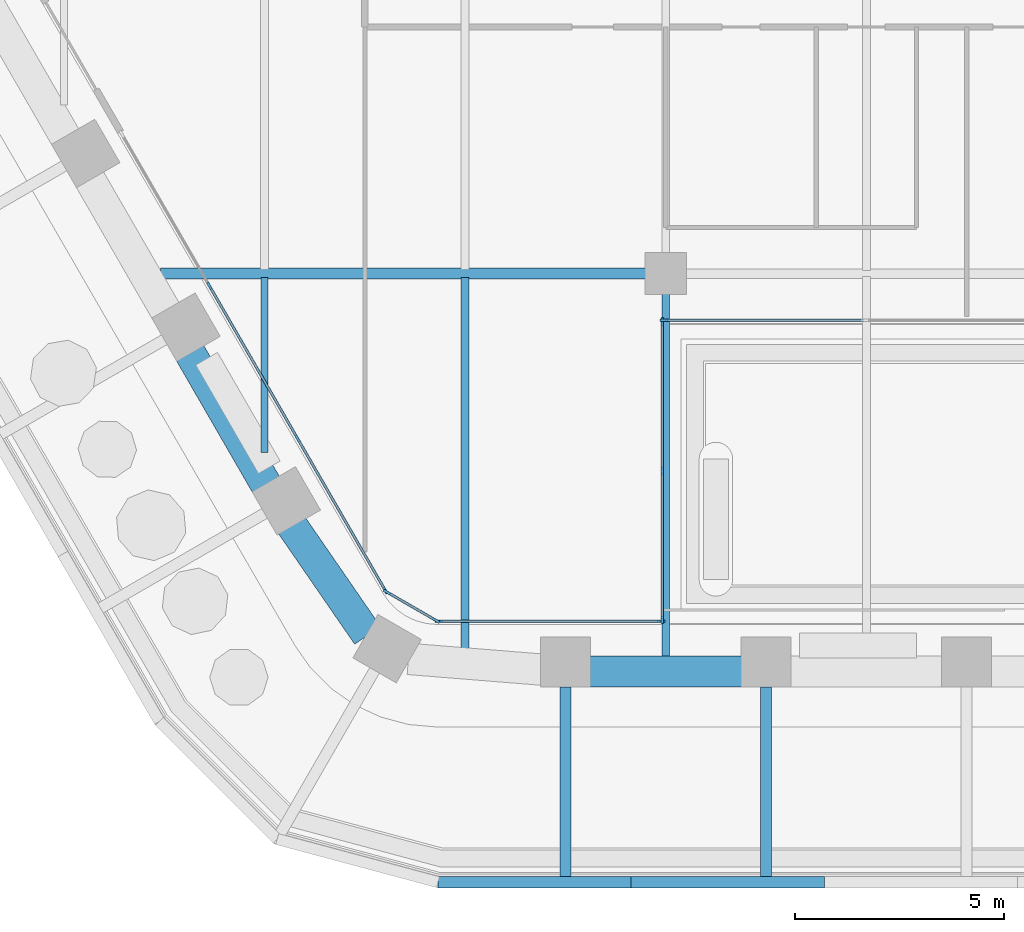
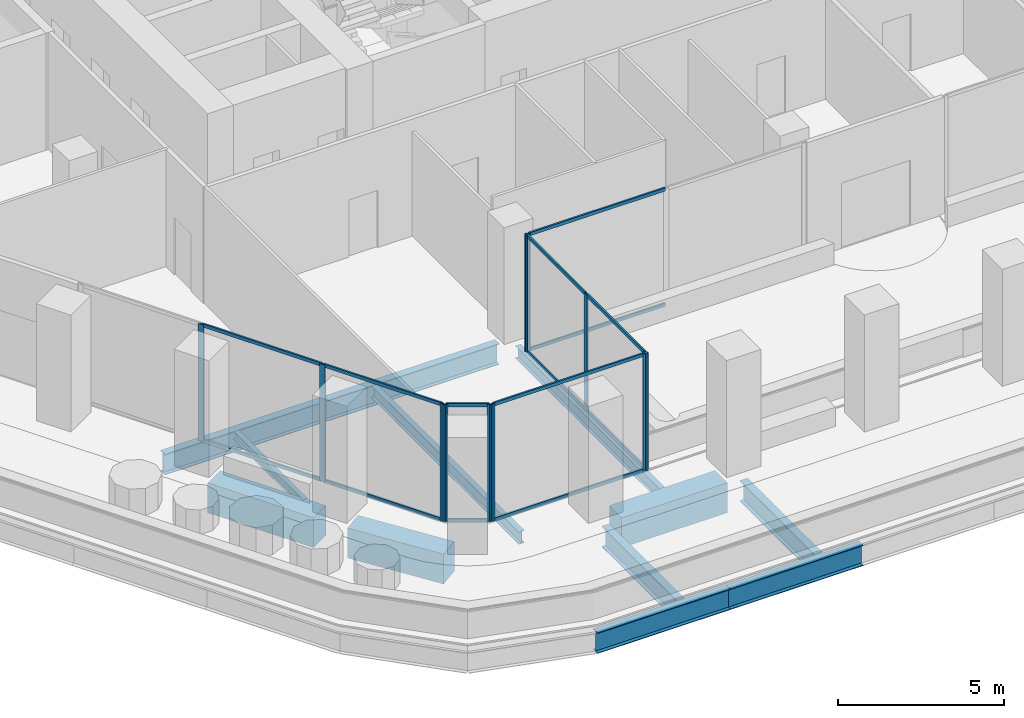
# One storey, part 2 of 27: 25 members, 11 beams, 5 elements without a shape of their own.
"""IFC4 building model written with IfcOpenShell, lengths in metres."""

import ifcopenshell
import ifcopenshell.guid

model = None  # the IFC model being written
_history = None  # IfcOwnerHistory: only IFC2X3 demands one
_inside = {}  # id of a spatial element -> (the spatial element, [elements in it])
_under = {}  # id of a project, library or spatial element -> (it, [spatial elements below it])
_declared = {}  # id of a project -> (the project, [libraries it declares])
_typed = {}  # id of a type object -> (the type object, [elements of that type])
_made_of = {}  # id of a material, layer set ... -> (it, [elements and type objects made of it])


def new_model(schema):
    """Start an empty IFC model of exactly this schema.

    Asked for "IFC4X3", IfcOpenShell would pick the latest addendum, in which some entities
    have other attributes; the version numbers below select the first issue.
    IFC2X3 requires an IfcOwnerHistory on every rooted entity: one is made here for all.
    """
    global model, _history
    if schema == "IFC4X3":
        model = ifcopenshell.file(schema_version=(4, 3, 0, 0))
    else:
        model = ifcopenshell.file(schema=schema)
    _inside.clear()
    _under.clear()
    _declared.clear()
    _typed.clear()
    _made_of.clear()
    _history = None
    if model.schema == "IFC2X3":
        org = make("IfcOrganization", Name="unknown")
        user = make(
            "IfcPersonAndOrganization",
            ThePerson=make("IfcPerson", FamilyName="unknown"),
            TheOrganization=org,
        )
        app = make(
            "IfcApplication",
            ApplicationDeveloper=org,
            Version="unknown",
            ApplicationFullName="unknown",
            ApplicationIdentifier="unknown",
        )
        _history = make(
            "IfcOwnerHistory",
            OwningUser=user,
            OwningApplication=app,
            ChangeAction="ADDED",
            CreationDate=0,
        )
    return model


def make(cls, **values):
    """One entity of the class cls with the attributes given. An attribute that is None is left unset."""
    return model.create_entity(
        cls, **{name: value for name, value in values.items() if value is not None}
    )


def rooted(cls, **values):
    """An entity with a GlobalId (a new one), such as an element, a storey or a relation."""
    return make(cls, GlobalId=ifcopenshell.guid.new(), OwnerHistory=_history, **values)


def si_unit(unit_type, name, prefix=None):
    """IfcSIUnit, for example si_unit("LENGTHUNIT", "METRE", prefix="MILLI")."""
    return make("IfcSIUnit", UnitType=unit_type, Prefix=prefix, Name=name)


def assignment(units):
    """IfcUnitAssignment: the units of a project."""
    return None if units is None else make("IfcUnitAssignment", Units=units)


def point(xyz):
    """IfcCartesianPoint."""
    return None if xyz is None else make("IfcCartesianPoint", Coordinates=xyz)


def direction(xyz):
    """IfcDirection."""
    return None if xyz is None else make("IfcDirection", DirectionRatios=xyz)


def frame(location, z_axis=None, x_axis=None):
    """IfcAxis2Placement3D, a coordinate frame: its origin and axes. An axis left out is left unset."""
    return make(
        "IfcAxis2Placement3D",
        Location=point(location),
        Axis=direction(z_axis),
        RefDirection=direction(x_axis),
    )


def frame_2d(location, x_axis=None):
    """IfcAxis2Placement2D, a coordinate frame in the plane: its origin and x axis."""
    return make(
        "IfcAxis2Placement2D", Location=point(location), RefDirection=direction(x_axis)
    )


def origin():
    """The frame at (0, 0, 0) with its axes left unset."""
    return frame((0.0, 0.0, 0.0))


def origin_2d():
    """The frame at (0, 0) in the plane with its x axis left unset."""
    return frame_2d((0.0, 0.0))


def place(relative_to, where):
    """IfcLocalPlacement: puts the frame where relative to a parent placement (None: the world)."""
    return make(
        "IfcLocalPlacement", PlacementRelTo=relative_to, RelativePlacement=where
    )


def context(
    kind, dimensions, precision=None, world=None, true_north=None, identifier=None
):
    """IfcGeometricRepresentationContext, for example the 3D "Model" context."""
    return make(
        "IfcGeometricRepresentationContext",
        ContextIdentifier=identifier,
        ContextType=kind,
        CoordinateSpaceDimension=dimensions,
        Precision=precision,
        WorldCoordinateSystem=world,
        TrueNorth=true_north,
    )


def subcontext(parent, identifier, kind, view, scale=None):
    """IfcGeometricRepresentationSubContext, for example "Body" below "Model"."""
    return make(
        "IfcGeometricRepresentationSubContext",
        ContextIdentifier=identifier,
        ContextType=kind,
        ParentContext=parent,
        TargetScale=scale,
        TargetView=view,
    )


def project(units=None, contexts=None):
    """IfcProject with its units and contexts."""
    return rooted(
        "IfcProject",
        Name="project",
        RepresentationContexts=contexts,
        UnitsInContext=assignment(units),
    )


def spatial(cls, under=None, at=None, **own):
    """A site, building, storey or space (cls), placed at a placement, below another one or the project."""
    s = rooted(cls, ObjectPlacement=at, **own)
    if under is not None:
        _under.setdefault(under.id(), (under, []))[1].append(s)
    return s


def profile(cls, at=None, kind="AREA", **sizes):
    """A parametric profile (cls). Its sizes go by their IFC names, for example OverallWidth=200.0."""
    return make(cls, ProfileType=kind, Position=at, **sizes)


def rectangle(**sizes):
    """IfcRectangleProfileDef."""
    return profile("IfcRectangleProfileDef", **sizes)


def i_section(**sizes):
    """IfcIShapeProfileDef."""
    return profile("IfcIShapeProfileDef", **sizes)


def extrude(swept, where, along, depth):
    """IfcExtrudedAreaSolid: the profile swept, set in the frame where, extruded along a direction by depth."""
    return make(
        "IfcExtrudedAreaSolid",
        SweptArea=swept,
        Position=where,
        ExtrudedDirection=direction(along),
        Depth=depth,
    )


def shape(context_of_items, identifier, shape_type, items):
    """IfcShapeRepresentation: the items that make up one representation, for example the "Body"."""
    return make(
        "IfcShapeRepresentation",
        ContextOfItems=context_of_items,
        RepresentationIdentifier=identifier,
        RepresentationType=shape_type,
        Items=items,
    )


def material(Name=None, Category=None):
    """IfcMaterial."""
    return make("IfcMaterial", Name=Name, Category=Category)


def material_profile(
    of_material, cross_section, Name=None, Category=None, Priority=None
):
    """IfcMaterialProfile: a cross section and its material."""
    return make(
        "IfcMaterialProfile",
        Name=Name,
        Material=of_material,
        Profile=cross_section,
        Priority=Priority,
        Category=Category,
    )


def profile_set(profiles, Name=None, composite=None):
    """IfcMaterialProfileSet."""
    return make(
        "IfcMaterialProfileSet",
        Name=Name,
        MaterialProfiles=profiles,
        CompositeProfile=composite,
    )


def made_of(thing, what):
    """Note that an element or type object is made of a material, layer set ...; save() writes the relation."""
    if what is not None:
        _made_of.setdefault(what.id(), (what, []))[1].append(thing)
    return thing


def type_object(cls, material=None, **own):
    """A type object (cls), such as IfcWallType, which elements share."""
    return made_of(rooted(cls, **own), material)


def element(
    cls,
    number,
    at=None,
    inside=None,
    cuts=None,
    type_object=None,
    material=None,
    context=None,
    identifier="Body",
    shape_type=None,
    held_by="IfcProductDefinitionShape",
    body=None,
    shapes=None,
    **own,
):
    """One element of the class cls, such as IfcWall. Its Tag is "e" and its number.

    at: its placement. inside: the storey or other place that contains it. cuts: it is an
    opening in that element (IfcRelVoidsElement). A single representation is given by context,
    identifier, shape_type and body (its items); several are given by shapes. held_by: the class
    of the entity that holds the representations. save() writes the other relations.
    """
    e = rooted(cls, Tag="e%d" % number, ObjectPlacement=at, **own)
    if body is not None:
        shapes = [shape(context, identifier, shape_type, body)]
    if shapes is not None:
        e.Representation = make(held_by, Representations=shapes)
    if inside is not None:
        _inside.setdefault(inside.id(), (inside, []))[1].append(e)
    if cuts is not None:
        rooted(
            "IfcRelVoidsElement", RelatingBuildingElement=cuts, RelatedOpeningElement=e
        )
    if type_object is not None:
        _typed.setdefault(type_object.id(), (type_object, []))[1].append(e)
    return made_of(e, material)


def aggregate(whole, parts):
    """IfcRelAggregates: a whole, such as a stair, and the parts it consists of."""
    return rooted("IfcRelAggregates", RelatingObject=whole, RelatedObjects=parts)


def save(model, path):
    """Write the relations noted so far, then the file.

    IfcRelAggregates (storeys below a building ...), IfcRelContainedInSpatialStructure (elements
    in a storey), IfcRelDefinesByType, IfcRelAssociatesMaterial and IfcRelDeclares: one each for
    every whole, place, type object, material and project.
    """
    for whole, parts in _under.values():
        aggregate(whole, parts)
    for where, things in _inside.values():
        rooted(
            "IfcRelContainedInSpatialStructure",
            RelatedElements=things,
            RelatingStructure=where,
        )
    for kind, things in _typed.values():
        rooted("IfcRelDefinesByType", RelatedObjects=things, RelatingType=kind)
    for what, things in _made_of.values():
        rooted("IfcRelAssociatesMaterial", RelatedObjects=things, RelatingMaterial=what)
    for by, libraries in _declared.values():
        rooted("IfcRelDeclares", RelatingContext=by, RelatedDefinitions=libraries)
    model.write(path)


model = new_model("IFC4")

# Units and contexts
model_context = context("Model", 3, precision=1e-05, world=origin(), true_north=direction((0.0, 1.0)))
body_context = subcontext(model_context, "Body", "Model", "MODEL_VIEW")
ifc_project = project(units=[si_unit("LENGTHUNIT", "METRE"), si_unit("AREAUNIT", "SQUARE_METRE"), si_unit("VOLUMEUNIT", "CUBIC_METRE"), si_unit("PLANEANGLEUNIT", "RADIAN"), si_unit("MASSUNIT", "GRAM", prefix="KILO")], contexts=[model_context])

# Site, building, storey
site_placement = place(None, origin())
site = spatial("IfcSite", under=ifc_project, at=site_placement, CompositionType="ELEMENT")
building_placement = place(site_placement, origin())
building = spatial("IfcBuilding", under=site, at=building_placement, Name="Kolab Exchange Tower", CompositionType="ELEMENT")
storey_placement = place(building_placement, frame((0.0, 0.0, 109.39990234375)))
storey = spatial("IfcBuildingStorey", under=building, at=storey_placement, Name="L21", CompositionType="ELEMENT", Elevation=109.39990234375)

# Beams
ifc_material_1 = material(Name="Steel S355", Category="steel")
ifc_material_profile_1 = material_profile(ifc_material_1, i_section(OverallWidth=0.1650390625, OverallDepth=0.31005859375, WebThickness=0.005859375, FlangeThickness=0.009765625, at=origin_2d()), Name="W310X39")
ifc_profile_set_1 = profile_set([ifc_material_profile_1], Name="Steel S355")
beam_type_1 = type_object("IfcBeamType", Name="FLOOR BEAM W310X39", PredefinedType="BEAM", material=ifc_profile_set_1)
beam_1_placement = place(storey_placement, frame((-19.199951171875, -23.4814453125, -0.35498046875), z_axis=(0.0, 1.0, 0.0), x_axis=(-1.0, 0.0, 0.0)))
element("IfcBeam", 1, at=beam_1_placement, inside=storey, type_object=beam_type_1, Name="beam/L21/fr/006", PredefinedType="BEAM", context=body_context, shape_type="SweptSolid", body=[
    extrude(i_section(OverallWidth=0.1650390625, OverallDepth=0.31005859375, WebThickness=0.005859375, FlangeThickness=0.009765625, at=origin_2d()), origin(), (0.0, 0.0, 1.0), 4.18798828125),
])
ifc_material_profile_2 = material_profile(ifc_material_1, i_section(OverallWidth=0.18994140625, OverallDepth=0.45703125, WebThickness=0.009033203125, FlangeThickness=0.014404296875, at=origin_2d()), Name="W460X74")
ifc_profile_set_2 = profile_set([ifc_material_profile_2], Name="Steel S355")
beam_type_2 = type_object("IfcBeamType", Name="FLOOR BEAM W460X74", PredefinedType="BEAM", material=ifc_profile_set_2)
beam_2_placement = place(storey_placement, frame((-14.39990234375, -28.194580078125, -0.428466796875), z_axis=(0.0, 1.0, 0.0), x_axis=(-1.0, 0.0, 0.0)))
element("IfcBeam", 2, at=beam_2_placement, inside=storey, type_object=beam_type_2, Name="beam/L21/fr/012", PredefinedType="BEAM", context=body_context, shape_type="SweptSolid", body=[
    extrude(i_section(OverallWidth=0.18994140625, OverallDepth=0.45703125, WebThickness=0.009033203125, FlangeThickness=0.014404296875, at=origin_2d()), origin(), (0.0, 0.0, 1.0), 8.901123046875),
])
beam_3_placement = place(storey_placement, frame((-9.60009765625, -28.388427734375, -0.428466796875), z_axis=(0.0, 1.0, 0.0), x_axis=(-1.0, 0.0, 0.0)))
element("IfcBeam", 3, at=beam_3_placement, inside=storey, type_object=beam_type_2, Name="beam/L21/fr/016", PredefinedType="BEAM", context=body_context, shape_type="SweptSolid", body=[
    extrude(i_section(OverallWidth=0.18994140625, OverallDepth=0.45703125, WebThickness=0.009033203125, FlangeThickness=0.014404296875, at=origin_2d()), origin(), (0.0, 0.0, 1.0), 8.728515625),
])
ifc_material_profile_3 = material_profile(ifc_material_1, i_section(OverallWidth=0.26708984375, OverallDepth=0.761962890625, WebThickness=0.014404296875, FlangeThickness=0.021484375, at=origin_2d()), Name="W760X173")
ifc_profile_set_3 = profile_set([ifc_material_profile_3], Name="Steel S355")
beam_type_3 = type_object("IfcBeamType", Name="FLOOR GIRDER W760X173", PredefinedType="BEAM", material=ifc_profile_set_3)
beam_4_placement = place(storey_placement, frame((-21.688720703125, -19.199951171875, -0.580810546875), z_axis=(1.0, 0.0, 0.0), x_axis=(0.0, 1.0, 0.0)))
element("IfcBeam", 4, at=beam_4_placement, inside=storey, type_object=beam_type_3, Name="beam/L21/gd/003", PredefinedType="BEAM", context=body_context, shape_type="SweptSolid", body=[
    extrude(i_section(OverallWidth=0.26708984375, OverallDepth=0.761962890625, WebThickness=0.014404296875, FlangeThickness=0.021484375, at=origin_2d()), origin(), (0.0, 0.0, 1.0), 11.628662109375),
])
for number, where, z_axis, x_axis, name in (
    (5, (-7.199951171875, -29.098388671875, -0.640869140625), (0.0, -1.0, 0.0), (1.0, 0.0, 0.0), "beam/L21/ledge/rib-05"),
    (6, (-12.0, -29.098388671875, -0.640869140625), (0.0, -1.0, 0.0), (1.0, 0.0, 0.0), "beam/L21/ledge/rib-06"),
):
    element("IfcBeam", number, at=place(storey_placement, frame(where, z_axis=z_axis, x_axis=x_axis)), inside=storey, type_object=beam_type_3, Name=name, PredefinedType="BEAM", context=body_context, shape_type="SweptSolid", body=[
        extrude(i_section(OverallWidth=0.26708984375, OverallDepth=0.761962890625, WebThickness=0.014404296875, FlangeThickness=0.021484375, at=origin_2d()), origin(), (0.0, 0.0, 1.0), 4.533203125),
    ])
beam_5_placement = place(storey_placement, frame((-5.803955078125, -33.764892578125, -0.640869140625), z_axis=(-1.0, 0.0, 0.0), x_axis=(0.0, -1.0, 0.0)))
element("IfcBeam", 7, at=beam_5_placement, inside=storey, type_object=beam_type_3, Name="beam/L21/ledge/edge-06", PredefinedType="BEAM", context=body_context, shape_type="SweptSolid", body=[
    extrude(i_section(OverallWidth=0.26708984375, OverallDepth=0.761962890625, WebThickness=0.014404296875, FlangeThickness=0.021484375, at=origin_2d()), origin(), (0.0, 0.0, 1.0), 4.623291015625),
])
beam_6_placement = place(storey_placement, frame((-10.42724609375, -33.764892578125, -0.640869140625), z_axis=(-1.0, 0.0, 0.0), x_axis=(0.0, -1.0, 0.0)))
element("IfcBeam", 8, at=beam_6_placement, inside=storey, type_object=beam_type_3, Name="beam/L21/ledge/edge-07", PredefinedType="BEAM", context=body_context, shape_type="SweptSolid", body=[
    extrude(i_section(OverallWidth=0.26708984375, OverallDepth=0.761962890625, WebThickness=0.014404296875, FlangeThickness=0.021484375, at=origin_2d()), origin(), (0.0, 0.0, 1.0), 4.623046875),
])
ifc_material_2 = material(Name="Concrete C70/85", Category="concrete")
ifc_material_profile_4 = material_profile(ifc_material_2, rectangle(XDim=0.75, YDim=1.10009765625, at=origin_2d()), Name="RC750X1100")
ifc_profile_set_4 = profile_set([ifc_material_profile_4], Name="Concrete C70/85")
beam_type_4 = type_object("IfcBeamType", Name="SPANDREL BEAM 750X1100 C70/85", PredefinedType="BEAM", material=ifc_profile_set_4)
beam_7_placement = place(storey_placement, frame((-7.760009765625, -28.723388671875, -0.75), z_axis=(-1.0, 0.0, 0.0), x_axis=(0.0, -1.0, 0.0)))
element("IfcBeam", 9, at=beam_7_placement, inside=storey, type_object=beam_type_4, Name="beam/L21/sp/F4-06", PredefinedType="BEAM", context=body_context, shape_type="SweptSolid", body=[
    extrude(rectangle(XDim=0.75, YDim=1.10009765625, at=origin_2d()), origin(), (0.0, 0.0, 1.0), 3.679931640625),
])
beam_8_placement = place(storey_placement, frame((-16.73486328125, -27.85791015625, -0.75), z_axis=(-0.567661826262, 0.823261836237, 0.0), x_axis=(-0.823261836237, -0.567661826262, 0.0)))
element("IfcBeam", 10, at=beam_8_placement, inside=storey, type_object=beam_type_4, Name="beam/L21/sp/F5-01", PredefinedType="BEAM", context=body_context, shape_type="SweptSolid", body=[
    extrude(rectangle(XDim=0.75, YDim=1.10009765625, at=origin_2d()), origin(), (0.0, 0.0, 1.0), 3.20849609375),
])
beam_9_placement = place(storey_placement, frame((-19.1552734375, -24.26904296875, -0.75), z_axis=(-0.500013413428, 0.866017659399, 0.0), x_axis=(-0.866017659399, -0.500013413428, 0.0)))
element("IfcBeam", 11, at=beam_9_placement, inside=storey, type_object=beam_type_4, Name="beam/L21/sp/F5-02", PredefinedType="BEAM", context=body_context, shape_type="SweptSolid", body=[
    extrude(rectangle(XDim=0.75, YDim=1.10009765625, at=origin_2d()), origin(), (0.0, 0.0, 1.0), 3.68017578125),
])

# Curtain wall, member
ifc_material_3 = material(Name="Aluminium EN AW-6063 T6", Category="aluminium")
curtain_wall_type = type_object("IfcCurtainWallType", Name="UNITISED LOWER MID ZONE CURTAIN WALL", PredefinedType="NOTDEFINED", material=ifc_material_3)
curtain_wall_1_placement = place(storey_placement, origin())
curtain_wall_1 = element("IfcCurtainWall", 12, at=curtain_wall_1_placement, inside=storey, type_object=curtain_wall_type, Name="cw/L21/F4-back-2", PredefinedType="NOTDEFINED")
ifc_material_profile_5 = material_profile(ifc_material_3, rectangle(XDim=0.06005859375, YDim=0.179931640625, at=origin_2d()), Name="RECT 60X180")
ifc_profile_set_5 = profile_set([ifc_material_profile_5], Name="Aluminium EN AW-6063 T6")
member_type_1 = type_object("IfcMemberType", Name="UNITISED LOWER MID ZONE MULLION 60 X 180", PredefinedType="MULLION", material=ifc_profile_set_5)
member_1_placement = place(storey_placement, frame((-9.64990234375, -20.318359375, 0.0), z_axis=(0.0, 0.0, 1.0), x_axis=(0.0, -1.0, 0.0)))
member_1 = element("IfcMember", 13, at=member_1_placement, type_object=member_type_1, Name="CW2 mullion 3", PredefinedType="MULLION", context=body_context, shape_type="SweptSolid", body=[
    extrude(rectangle(XDim=0.06005859375, YDim=0.179931640625, at=origin_2d()), origin(), (0.0, 0.0, 1.0), 4.300048828125),
])

# Curtain wall, members
curtain_wall_2_placement = place(storey_placement, origin())
curtain_wall_2 = element("IfcCurtainWall", 14, at=curtain_wall_2_placement, inside=storey, type_object=curtain_wall_type, Name="cw/L21/F4-rr-1", PredefinedType="NOTDEFINED")
member_2_placement = place(storey_placement, frame((-9.679931640625, -20.348388671875, 0.0), z_axis=(0.0, 0.0, 1.0), x_axis=(1.0, 0.0, 0.0)))
member_2 = element("IfcMember", 15, at=member_2_placement, type_object=member_type_1, Name="CW2 mullion 1", PredefinedType="MULLION", context=body_context, shape_type="SweptSolid", body=[
    extrude(rectangle(XDim=0.06005859375, YDim=0.179931640625, at=origin_2d()), origin(), (0.0, 0.0, 1.0), 4.300048828125),
])
member_3_placement = place(storey_placement, frame((-9.679931640625, -23.91845703125, 0.0), z_axis=(0.0, 0.0, 1.0), x_axis=(1.0, 0.0, 0.0)))
member_3 = element("IfcMember", 16, at=member_3_placement, type_object=member_type_1, Name="CW2 mullion 2", PredefinedType="MULLION", context=body_context, shape_type="SweptSolid", body=[
    extrude(rectangle(XDim=0.06005859375, YDim=0.179931640625, at=origin_2d()), origin(), (0.0, 0.0, 1.0), 4.300048828125),
])
member_4_placement = place(storey_placement, frame((-9.679931640625, -27.488525390625, 0.0), z_axis=(0.0, 0.0, 1.0), x_axis=(1.0, 0.0, 0.0)))
member_4 = element("IfcMember", 17, at=member_4_placement, type_object=member_type_1, Name="CW2 mullion 3", PredefinedType="MULLION", context=body_context, shape_type="SweptSolid", body=[
    extrude(rectangle(XDim=0.06005859375, YDim=0.179931640625, at=origin_2d()), origin(), (0.0, 0.0, 1.0), 4.300048828125),
])

curtain_wall_3_placement = place(storey_placement, origin())
curtain_wall_3 = element("IfcCurtainWall", 18, at=curtain_wall_3_placement, inside=storey, type_object=curtain_wall_type, Name="cw/L21/F4-r-1", PredefinedType="NOTDEFINED")
member_5_placement = place(storey_placement, frame((-9.7099609375, -27.5185546875, 0.0), z_axis=(0.0, 0.0, 1.0), x_axis=(0.0, -1.0, 0.0)))
member_5 = element("IfcMember", 19, at=member_5_placement, type_object=member_type_1, Name="CW2 mullion 1", PredefinedType="MULLION", context=body_context, shape_type="SweptSolid", body=[
    extrude(rectangle(XDim=0.06005859375, YDim=0.179931640625, at=origin_2d()), origin(), (0.0, 0.0, 1.0), 4.300048828125),
])
member_6_placement = place(storey_placement, frame((-15.037841796875, -27.5185546875, 0.0), z_axis=(0.0, 0.0, 1.0), x_axis=(0.0, -1.0, 0.0)))
member_6 = element("IfcMember", 20, at=member_6_placement, type_object=member_type_1, Name="CW2 mullion 2", PredefinedType="MULLION", context=body_context, shape_type="SweptSolid", body=[
    extrude(rectangle(XDim=0.06005859375, YDim=0.179931640625, at=origin_2d()), origin(), (0.0, 0.0, 1.0), 4.300048828125),
])

curtain_wall_4_placement = place(storey_placement, origin())
curtain_wall_4 = element("IfcCurtainWall", 21, at=curtain_wall_4_placement, inside=storey, type_object=curtain_wall_type, Name="cw/L21/F5-1", PredefinedType="NOTDEFINED")
member_7_placement = place(storey_placement, frame((-16.312744140625, -26.782470703125, 0.0), z_axis=(0.0, 0.0, 1.0), x_axis=(-0.866025393644, -0.500000017564, 0.0)))
member_7 = element("IfcMember", 22, at=member_7_placement, type_object=member_type_1, Name="CW2 mullion 1", PredefinedType="MULLION", context=body_context, shape_type="SweptSolid", body=[
    extrude(rectangle(XDim=0.06005859375, YDim=0.179931640625, at=origin_2d()), origin(), (0.0, 0.0, 1.0), 4.300048828125),
])
member_8_placement = place(storey_placement, frame((-18.408935546875, -23.151611328125, 0.0), z_axis=(0.0, 0.0, 1.0), x_axis=(-0.866025393644, -0.500000017564, 0.0)))
member_8 = element("IfcMember", 23, at=member_8_placement, type_object=member_type_1, Name="CW2 mullion 2", PredefinedType="MULLION", context=body_context, shape_type="SweptSolid", body=[
    extrude(rectangle(XDim=0.06005859375, YDim=0.179931640625, at=origin_2d()), origin(), (0.0, 0.0, 1.0), 4.300048828125),
])
member_9_placement = place(storey_placement, frame((-20.520263671875, -19.49462890625, 0.0), z_axis=(0.0, 0.0, 1.0), x_axis=(-0.866025393644, -0.500000017564, 0.0)))
member_9 = element("IfcMember", 24, at=member_9_placement, type_object=member_type_1, Name="CW2 mullion 3", PredefinedType="MULLION", context=body_context, shape_type="SweptSolid", body=[
    extrude(rectangle(XDim=0.06005859375, YDim=0.179931640625, at=origin_2d()), origin(), (0.0, 0.0, 1.0), 4.300048828125),
])

curtain_wall_5_placement = place(storey_placement, origin())
curtain_wall_5 = element("IfcCurtainWall", 25, at=curtain_wall_5_placement, inside=storey, type_object=curtain_wall_type, Name="cw/L21/F4F5-corner", PredefinedType="NOTDEFINED")
member_10_placement = place(storey_placement, frame((-15.093994140625, -27.50341796875, 0.0), z_axis=(0.0, 0.0, 1.0), x_axis=(-0.50000002237, -0.866025390869, 0.0)))
member_10 = element("IfcMember", 26, at=member_10_placement, type_object=member_type_1, Name="CW2 mullion 1", PredefinedType="MULLION", context=body_context, shape_type="SweptSolid", body=[
    extrude(rectangle(XDim=0.06005859375, YDim=0.179931640625, at=origin_2d()), origin(), (0.0, 0.0, 1.0), 4.300048828125),
])
member_11_placement = place(storey_placement, frame((-16.271728515625, -26.823486328125, 0.0), z_axis=(0.0, 0.0, 1.0), x_axis=(-0.50000002237, -0.866025390869, 0.0)))
member_11 = element("IfcMember", 27, at=member_11_placement, type_object=member_type_1, Name="CW2 mullion 2", PredefinedType="MULLION", context=body_context, shape_type="SweptSolid", body=[
    extrude(rectangle(XDim=0.06005859375, YDim=0.179931640625, at=origin_2d()), origin(), (0.0, 0.0, 1.0), 4.300048828125),
])

# Member
ifc_material_profile_6 = material_profile(ifc_material_3, rectangle(XDim=0.06005859375, YDim=0.1201171875, at=origin_2d()), Name="RECT 60X120")
ifc_profile_set_6 = profile_set([ifc_material_profile_6], Name="Aluminium EN AW-6063 T6")
member_type_2 = type_object("IfcMemberType", Name="UNITISED LOWER MID ZONE TRANSOM 60 X 120", PredefinedType="USERDEFINED", material=ifc_profile_set_6)
member_12_placement = place(storey_placement, frame((-4.8701171875, -20.318359375, 0.030029296875), z_axis=(-1.0, 0.0, 0.0), x_axis=(0.0, -1.0, 0.0)))
member_12 = element("IfcMember", 28, at=member_12_placement, type_object=member_type_2, Name="CW2 transom 2.1", ObjectType="TRANSOM", PredefinedType="USERDEFINED", context=body_context, shape_type="SweptSolid", body=[
    extrude(rectangle(XDim=0.06005859375, YDim=0.1201171875, at=origin_2d()), origin(), (0.0, 0.0, 1.0), 4.75),
])

member_13_placement = place(storey_placement, frame((-4.8701171875, -20.318359375, 4.27001953125), z_axis=(-1.0, 0.0, 0.0), x_axis=(0.0, -1.0, 0.0)))
member_13 = element("IfcMember", 29, at=member_13_placement, type_object=member_type_2, Name="CW2 transom 2.2", ObjectType="TRANSOM", PredefinedType="USERDEFINED", context=body_context, shape_type="SweptSolid", body=[
    extrude(rectangle(XDim=0.06005859375, YDim=0.1201171875, at=origin_2d()), origin(), (0.0, 0.0, 1.0), 4.75),
])

aggregate(curtain_wall_1, [member_1, member_12, member_13])

member_14_placement = place(storey_placement, frame((-9.679931640625, -20.37841796875, 0.030029296875), z_axis=(0.0, -1.0, 0.0), x_axis=(1.0, 0.0, 0.0)))
member_14 = element("IfcMember", 30, at=member_14_placement, type_object=member_type_2, Name="CW2 transom 1.1", ObjectType="TRANSOM", PredefinedType="USERDEFINED", context=body_context, shape_type="SweptSolid", body=[
    extrude(rectangle(XDim=0.06005859375, YDim=0.1201171875, at=origin_2d()), origin(), (0.0, 0.0, 1.0), 3.510009765625),
])

member_15_placement = place(storey_placement, frame((-9.679931640625, -20.37841796875, 4.27001953125), z_axis=(0.0, -1.0, 0.0), x_axis=(1.0, 0.0, 0.0)))
member_15 = element("IfcMember", 31, at=member_15_placement, type_object=member_type_2, Name="CW2 transom 1.2", ObjectType="TRANSOM", PredefinedType="USERDEFINED", context=body_context, shape_type="SweptSolid", body=[
    extrude(rectangle(XDim=0.06005859375, YDim=0.1201171875, at=origin_2d()), origin(), (0.0, 0.0, 1.0), 3.510009765625),
])

member_16_placement = place(storey_placement, frame((-9.679931640625, -23.948486328125, 0.030029296875), z_axis=(0.0, -1.0, 0.0), x_axis=(1.0, 0.0, 0.0)))
member_16 = element("IfcMember", 32, at=member_16_placement, type_object=member_type_2, Name="CW2 transom 2.1", ObjectType="TRANSOM", PredefinedType="USERDEFINED", context=body_context, shape_type="SweptSolid", body=[
    extrude(rectangle(XDim=0.06005859375, YDim=0.1201171875, at=origin_2d()), origin(), (0.0, 0.0, 1.0), 3.510009765625),
])

member_17_placement = place(storey_placement, frame((-9.679931640625, -23.948486328125, 4.27001953125), z_axis=(0.0, -1.0, 0.0), x_axis=(1.0, 0.0, 0.0)))
member_17 = element("IfcMember", 33, at=member_17_placement, type_object=member_type_2, Name="CW2 transom 2.2", ObjectType="TRANSOM", PredefinedType="USERDEFINED", context=body_context, shape_type="SweptSolid", body=[
    extrude(rectangle(XDim=0.06005859375, YDim=0.1201171875, at=origin_2d()), origin(), (0.0, 0.0, 1.0), 3.510009765625),
])

aggregate(curtain_wall_2, [member_2, member_3, member_4, member_14, member_15, member_16, member_17])

member_18_placement = place(storey_placement, frame((-9.739990234375, -27.5185546875, 0.030029296875), z_axis=(-1.0, 0.0, 0.0), x_axis=(0.0, -1.0, 0.0)))
member_18 = element("IfcMember", 34, at=member_18_placement, type_object=member_type_2, Name="CW2 transom 1.1", ObjectType="TRANSOM", PredefinedType="USERDEFINED", context=body_context, shape_type="SweptSolid", body=[
    extrude(rectangle(XDim=0.06005859375, YDim=0.1201171875, at=origin_2d()), origin(), (0.0, 0.0, 1.0), 5.26806640625),
])

member_19_placement = place(storey_placement, frame((-9.739990234375, -27.5185546875, 4.27001953125), z_axis=(-1.0, 0.0, 0.0), x_axis=(0.0, -1.0, 0.0)))
member_19 = element("IfcMember", 35, at=member_19_placement, type_object=member_type_2, Name="CW2 transom 1.2", ObjectType="TRANSOM", PredefinedType="USERDEFINED", context=body_context, shape_type="SweptSolid", body=[
    extrude(rectangle(XDim=0.06005859375, YDim=0.1201171875, at=origin_2d()), origin(), (0.0, 0.0, 1.0), 5.26806640625),
])

aggregate(curtain_wall_3, [member_5, member_6, member_18, member_19])

member_20_placement = place(storey_placement, frame((-16.32763671875, -26.756591796875, 0.030029296875), z_axis=(-0.500001996123, 0.866024251319, 0.0), x_axis=(-0.866024251319, -0.500001996123, 0.0)))
member_20 = element("IfcMember", 36, at=member_20_placement, type_object=member_type_2, Name="CW2 transom 1.1", ObjectType="TRANSOM", PredefinedType="USERDEFINED", context=body_context, shape_type="SweptSolid", body=[
    extrude(rectangle(XDim=0.06005859375, YDim=0.1201171875, at=origin_2d()), origin(), (0.0, 0.0, 1.0), 4.1328125),
])

member_21_placement = place(storey_placement, frame((-16.32763671875, -26.756591796875, 4.27001953125), z_axis=(-0.500001996123, 0.866024251319, 0.0), x_axis=(-0.866024251319, -0.500001996123, 0.0)))
member_21 = element("IfcMember", 37, at=member_21_placement, type_object=member_type_2, Name="CW2 transom 1.2", ObjectType="TRANSOM", PredefinedType="USERDEFINED", context=body_context, shape_type="SweptSolid", body=[
    extrude(rectangle(XDim=0.06005859375, YDim=0.1201171875, at=origin_2d()), origin(), (0.0, 0.0, 1.0), 4.1328125),
])

member_22_placement = place(storey_placement, frame((-18.424072265625, -23.12548828125, 0.030029296875), z_axis=(-0.49999322259, 0.866029316688, 0.0), x_axis=(-0.866029316688, -0.49999322259, 0.0)))
member_22 = element("IfcMember", 38, at=member_22_placement, type_object=member_type_2, Name="CW2 transom 2.1", ObjectType="TRANSOM", PredefinedType="USERDEFINED", context=body_context, shape_type="SweptSolid", body=[
    extrude(rectangle(XDim=0.06005859375, YDim=0.1201171875, at=origin_2d()), origin(), (0.0, 0.0, 1.0), 4.16259765625),
])

member_23_placement = place(storey_placement, frame((-18.424072265625, -23.12548828125, 4.27001953125), z_axis=(-0.49999322259, 0.866029316688, 0.0), x_axis=(-0.866029316688, -0.49999322259, 0.0)))
member_23 = element("IfcMember", 39, at=member_23_placement, type_object=member_type_2, Name="CW2 transom 2.2", ObjectType="TRANSOM", PredefinedType="USERDEFINED", context=body_context, shape_type="SweptSolid", body=[
    extrude(rectangle(XDim=0.06005859375, YDim=0.1201171875, at=origin_2d()), origin(), (0.0, 0.0, 1.0), 4.16259765625),
])

aggregate(curtain_wall_4, [member_7, member_8, member_9, member_20, member_21, member_22, member_23])

member_24_placement = place(storey_placement, frame((-15.119873046875, -27.488525390625, 0.030029296875), z_axis=(-0.866004217611, 0.500036693733, 0.0), x_axis=(-0.500036693733, -0.866004217611, 0.0)))
member_24 = element("IfcMember", 40, at=member_24_placement, type_object=member_type_2, Name="CW2 transom 1.1", ObjectType="TRANSOM", PredefinedType="USERDEFINED", context=body_context, shape_type="SweptSolid", body=[
    extrude(rectangle(XDim=0.06005859375, YDim=0.1201171875, at=origin_2d()), origin(), (0.0, 0.0, 1.0), 1.30029296875),
])

member_25_placement = place(storey_placement, frame((-15.119873046875, -27.488525390625, 4.27001953125), z_axis=(-0.866004217611, 0.500036693733, 0.0), x_axis=(-0.500036693733, -0.866004217611, 0.0)))
member_25 = element("IfcMember", 41, at=member_25_placement, type_object=member_type_2, Name="CW2 transom 1.2", ObjectType="TRANSOM", PredefinedType="USERDEFINED", context=body_context, shape_type="SweptSolid", body=[
    extrude(rectangle(XDim=0.06005859375, YDim=0.1201171875, at=origin_2d()), origin(), (0.0, 0.0, 1.0), 1.30029296875),
])

aggregate(curtain_wall_5, [member_10, member_11, member_24, member_25])

save(model, "model.ifc")
